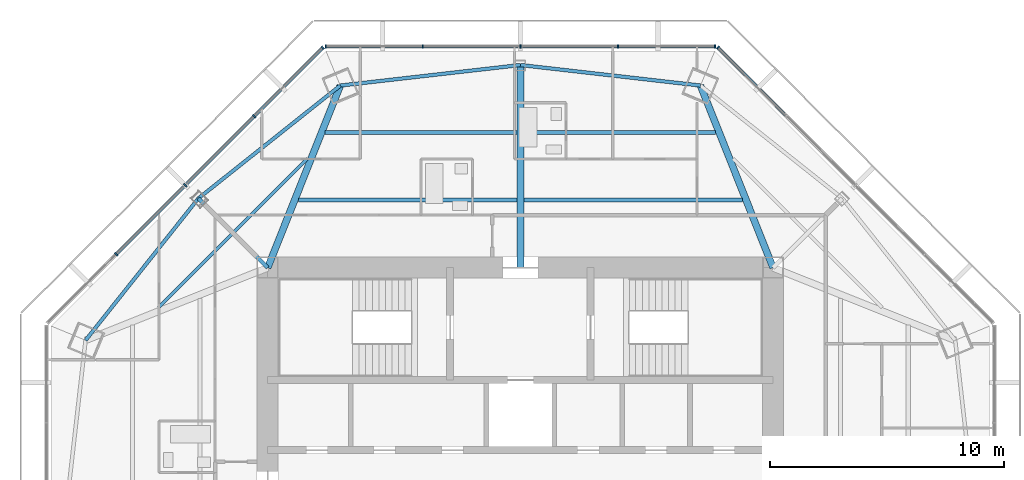
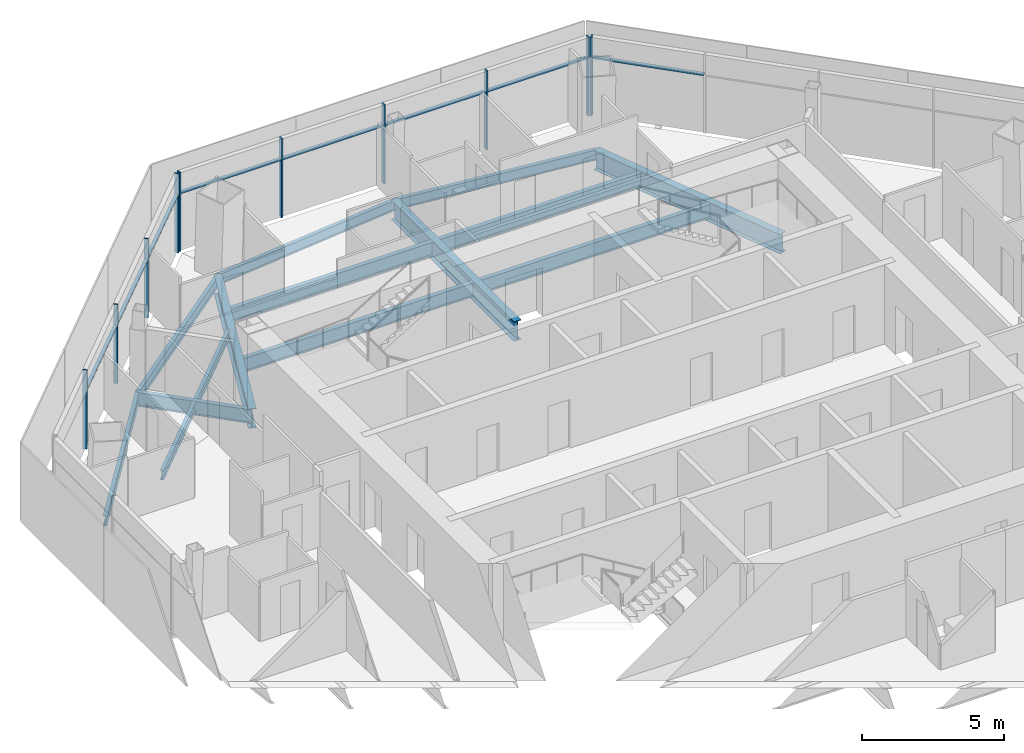
# One storey, part 6 of 15: 18 members, 14 beams, 3 elements without a shape of their own.
"""IFC4 building model written with IfcOpenShell, lengths in metres."""

from ifc_helpers import new_model, si_unit, direction, frame, origin, origin_2d, place, context, subcontext, project, spatial, rectangle, i_section, extrude, source, transform, mapped, material, material_profile, profile_set, type_object, type_shapes, element, aggregate, save


model = new_model("IFC4")

# Units and contexts
model_context = context("Model", 3, precision=1e-05, world=origin(), true_north=direction((0.0, 1.0)))
body_context = subcontext(model_context, "Body", "Model", "MODEL_VIEW")
ifc_project = project(units=[si_unit("LENGTHUNIT", "METRE"), si_unit("AREAUNIT", "SQUARE_METRE"), si_unit("VOLUMEUNIT", "CUBIC_METRE"), si_unit("PLANEANGLEUNIT", "RADIAN"), si_unit("MASSUNIT", "GRAM", prefix="KILO")], contexts=[model_context])

# Site, building, storey
site_placement = place(None, origin())
site = spatial("IfcSite", under=ifc_project, at=site_placement, CompositionType="ELEMENT")
building_placement = place(site_placement, origin())
building = spatial("IfcBuilding", under=site, at=building_placement, Name="Mashrafa Tower", CompositionType="ELEMENT")
storey_placement = place(building_placement, frame((0.0, 0.0, 274.199951171875)))
storey = spatial("IfcBuildingStorey", under=building, at=storey_placement, Name="L66", CompositionType="ELEMENT", Elevation=274.199951171875)

# Beams
ifc_material_1 = material(Name="Steel ASTM A992", Category="steel")
ifc_material_profile_1 = material_profile(ifc_material_1, i_section(OverallWidth=0.140380859375, OverallDepth=0.40380859375, WebThickness=0.007080078125, FlangeThickness=0.01123046875, FilletRadius=0.01025390625, at=origin_2d()), Name="W16X31")
ifc_profile_set_1 = profile_set([ifc_material_profile_1], Name="Steel ASTM A992")
beam_type_1 = type_object("IfcBeamType", Name="Beam W16X31", PredefinedType="BEAM", material=ifc_profile_set_1)
for number, where, z_axis, x_axis, name in (
    (1, (-15.463623046875, 9.09912109375, -0.40185546875), (0.707079108482, 0.707134452808, 0.0), (-0.707134452808, 0.707079108482, 0.0), "Floor beam L66 003"),
    (2, (-12.218505859375, 12.344482421875, -0.40185546875), (0.707134452808, 0.707079108482, 0.0), (-0.707079108482, 0.707134452808, 0.0), "Floor beam L66 007"),
):
    element("IfcBeam", number, at=place(storey_placement, frame(where, z_axis=z_axis, x_axis=x_axis)), inside=storey, type_object=beam_type_1, Name=name, PredefinedType="BEAM", context=body_context, shape_type="SweptSolid", body=[
        extrude(i_section(OverallWidth=0.140380859375, OverallDepth=0.40380859375, WebThickness=0.007080078125, FlangeThickness=0.01123046875, FilletRadius=0.01025390625, at=origin_2d()), origin(), (0.0, 0.0, 1.0), 4.411376953125),
    ])
ifc_material_2 = material(Name="Steel ASTM A992", Category="steel")
ifc_material_profile_2 = material_profile(ifc_material_2, i_section(OverallWidth=0.15234375, OverallDepth=0.449462890625, WebThickness=0.007568359375, FlangeThickness=0.0107421875, FilletRadius=0.01025390625, at=origin_2d()), Name="W18X35")
ifc_profile_set_2 = profile_set([ifc_material_profile_2], Name="Steel ASTM A992")
beam_type_2 = type_object("IfcBeamType", Name="Beam W18X35", PredefinedType="BEAM", material=ifc_profile_set_2)
for number, where, z_axis, x_axis, name in (
    (3, (-13.762939453125, 13.762939453125, -0.4248046875), (-0.622390664241, -0.782706752919, 0.0), (0.782706752919, -0.622390664241, 0.0), "Spandrel beam L66 045"),
    (4, (-7.6982421875, 18.58544921875, -0.4248046875), (-0.782706752919, -0.622390664241, 0.0), (0.622390664241, -0.782706752919, 0.0), "Spandrel beam L66 047"),
    (5, (0.0, 19.463623046875, -0.4248046875), (-0.993556314914, -0.113339530152, 0.0), (0.113339530152, -0.993556314914, 0.0), "Spandrel beam L66 049"),
    (6, (7.6982421875, 18.58544921875, -0.4248046875), (-0.993556314914, 0.113339530152, 0.0), (-0.113339530152, -0.993556314914, 0.0), "Spandrel beam L66 051"),
):
    element("IfcBeam", number, at=place(storey_placement, frame(where, z_axis=z_axis, x_axis=x_axis)), inside=storey, type_object=beam_type_2, Name=name, PredefinedType="BEAM", context=body_context, shape_type="SweptSolid", body=[
        extrude(i_section(OverallWidth=0.15234375, OverallDepth=0.449462890625, WebThickness=0.007568359375, FlangeThickness=0.0107421875, FilletRadius=0.01025390625, at=origin_2d()), origin(), (0.0, 0.0, 1.0), 7.748291015625),
    ])
ifc_material_3 = material(Name="Steel ASTM A992", Category="steel")
ifc_material_profile_3 = material_profile(ifc_material_3, i_section(OverallWidth=0.177978515625, OverallDepth=0.599365234375, WebThickness=0.010009765625, FlangeThickness=0.012939453125, FilletRadius=0.012939453125, at=origin_2d()), Name="W24X55")
ifc_profile_set_3 = profile_set([ifc_material_profile_3], Name="Steel ASTM A992")
beam_type_3 = type_object("IfcBeamType", Name="Beam W24X55", PredefinedType="BEAM", material=ifc_profile_set_3)
beam_1_placement = place(storey_placement, frame((-9.4921875, 13.68798828125, -0.499755859375), z_axis=(1.0, 0.0, 0.0), x_axis=(0.0, 1.0, 0.0)))
element("IfcBeam", 7, at=beam_1_placement, inside=storey, type_object=beam_type_3, Name="Floor beam L66 008", PredefinedType="BEAM", context=body_context, shape_type="SweptSolid", body=[
    extrude(i_section(OverallWidth=0.177978515625, OverallDepth=0.599365234375, WebThickness=0.010009765625, FlangeThickness=0.012939453125, FilletRadius=0.012939453125, at=origin_2d()), origin(), (0.0, 0.0, 1.0), 9.34619140625),
])
beam_2_placement = place(storey_placement, frame((-8.341796875, 16.57568359375, -0.499755859375), z_axis=(1.0, 0.0, 0.0), x_axis=(0.0, 1.0, 0.0)))
element("IfcBeam", 8, at=beam_2_placement, inside=storey, type_object=beam_type_3, Name="Floor beam L66 010", PredefinedType="BEAM", context=body_context, shape_type="SweptSolid", body=[
    extrude(i_section(OverallWidth=0.177978515625, OverallDepth=0.599365234375, WebThickness=0.010009765625, FlangeThickness=0.012939453125, FilletRadius=0.012939453125, at=origin_2d()), origin(), (0.0, 0.0, 1.0), 8.19580078125),
])
beam_3_placement = place(storey_placement, frame((0.14599609375, 13.68798828125, -0.499755859375), z_axis=(1.0, 0.0, 0.0), x_axis=(0.0, 1.0, 0.0)))
element("IfcBeam", 9, at=beam_3_placement, inside=storey, type_object=beam_type_3, Name="Floor beam L66 013", PredefinedType="BEAM", context=body_context, shape_type="SweptSolid", body=[
    extrude(i_section(OverallWidth=0.177978515625, OverallDepth=0.599365234375, WebThickness=0.010009765625, FlangeThickness=0.012939453125, FilletRadius=0.012939453125, at=origin_2d()), origin(), (0.0, 0.0, 1.0), 9.34619140625),
])
beam_4_placement = place(storey_placement, frame((0.14599609375, 16.57568359375, -0.499755859375), z_axis=(1.0, 0.0, 0.0), x_axis=(0.0, 1.0, 0.0)))
element("IfcBeam", 10, at=beam_4_placement, inside=storey, type_object=beam_type_3, Name="Floor beam L66 014", PredefinedType="BEAM", context=body_context, shape_type="SweptSolid", body=[
    extrude(i_section(OverallWidth=0.177978515625, OverallDepth=0.599365234375, WebThickness=0.010009765625, FlangeThickness=0.012939453125, FilletRadius=0.012939453125, at=origin_2d()), origin(), (0.0, 0.0, 1.0), 8.19580078125),
])
beam_5_placement = place(storey_placement, frame((-10.800048828125, 10.800048828125, -0.499755859375), z_axis=(-0.707106781187, 0.707106781187, 0.0), x_axis=(-0.707106781187, -0.707106781187, 0.0)))
element("IfcBeam", 11, at=beam_5_placement, inside=storey, type_object=beam_type_3, Name="Radial girder L66 030", PredefinedType="BEAM", context=body_context, shape_type="SweptSolid", body=[
    extrude(i_section(OverallWidth=0.177978515625, OverallDepth=0.599365234375, WebThickness=0.010009765625, FlangeThickness=0.012939453125, FilletRadius=0.012939453125, at=origin_2d()), origin(), (0.0, 0.0, 1.0), 4.190185546875),
])
ifc_material_4 = material(Name="Steel ASTM A992", Category="steel")
ifc_material_profile_4 = material_profile(ifc_material_4, i_section(OverallWidth=0.2919921875, OverallDepth=0.8408203125, WebThickness=0.0146484375, FlangeThickness=0.021728515625, FilletRadius=0.017333984375, at=origin_2d()), Name="W33X130")
ifc_profile_set_4 = profile_set([ifc_material_profile_4], Name="Steel ASTM A992")
beam_type_4 = type_object("IfcBeamType", Name="Beam W33X130", PredefinedType="BEAM", material=ifc_profile_set_4)
for number, where, z_axis, x_axis, name in (
    (12, (-10.800048828125, 10.800048828125, -0.620361328125), (0.370119579101, 0.928984121052, 0.0), (-0.928984121052, 0.370119579101, 0.0), "Radial girder L66 031"),
    (13, (10.800048828125, 10.800048828125, -0.620361328125), (-0.370119579101, 0.928984121052, 0.0), (-0.928984121052, -0.370119579101, 0.0), "Radial girder L66 038"),
):
    element("IfcBeam", number, at=place(storey_placement, frame(where, z_axis=z_axis, x_axis=x_axis)), inside=storey, type_object=beam_type_4, Name=name, PredefinedType="BEAM", context=body_context, shape_type="SweptSolid", body=[
        extrude(i_section(OverallWidth=0.2919921875, OverallDepth=0.8408203125, WebThickness=0.0146484375, FlangeThickness=0.021728515625, FilletRadius=0.017333984375, at=origin_2d()), origin(), (0.0, 0.0, 1.0), 8.380615234375),
    ])
ifc_material_5 = material(Name="Steel ASTM A992", Category="steel")
ifc_material_profile_5 = material_profile(ifc_material_5, i_section(OverallWidth=0.2919921875, OverallDepth=0.845703125, WebThickness=0.015380859375, FlangeThickness=0.0244140625, FilletRadius=0.017333984375, at=origin_2d()), Name="W33X141")
ifc_profile_set_5 = profile_set([ifc_material_profile_5], Name="Steel ASTM A992")
beam_type_5 = type_object("IfcBeamType", Name="Beam W33X141", PredefinedType="BEAM", material=ifc_profile_set_5)
beam_6_placement = place(storey_placement, frame((0.0, 10.800048828125, -0.622802734375), z_axis=(0.0, 1.0, 0.0), x_axis=(-1.0, 0.0, 0.0)))
element("IfcBeam", 14, at=beam_6_placement, inside=storey, type_object=beam_type_5, Name="Radial girder L66 033", PredefinedType="BEAM", context=body_context, shape_type="SweptSolid", body=[
    extrude(i_section(OverallWidth=0.2919921875, OverallDepth=0.845703125, WebThickness=0.015380859375, FlangeThickness=0.0244140625, FilletRadius=0.017333984375, at=origin_2d()), origin(), (0.0, 0.0, 1.0), 8.66357421875),
])

# Curtain wall, member
ifc_material_6 = material(Name="Unitised aluminium curtain wall", Category="aluminium")
curtain_wall_type = type_object("IfcCurtainWallType", Name="Apartment curtain wall, zone 4 CW-D 160 deep", PredefinedType="NOTDEFINED", material=ifc_material_6)
curtain_wall_1_placement = place(storey_placement, origin())
curtain_wall_1 = element("IfcCurtainWall", 15, at=curtain_wall_1_placement, inside=storey, type_object=curtain_wall_type, Name="Apartment curtain wall, zone 4 L66 north-east", PredefinedType="NOTDEFINED")
ifc_material_7 = material(Name="Extruded aluminium mullion", Category="aluminium")
ifc_material_profile_6 = material_profile(ifc_material_7, rectangle(XDim=0.159912109375, YDim=0.06005859375, at=origin_2d()), Name="Mullion 60x160")
ifc_profile_set_6 = profile_set([ifc_material_profile_6], Name="Extruded aluminium mullion")
member_type_1 = type_object("IfcMemberType", Name="Mullion CW-D 60 x 160", PredefinedType="MULLION", material=ifc_profile_set_6)
shared_shape_1 = source(origin(), body_context, "Body", "SweptSolid", [
    extrude(rectangle(XDim=0.159912109375, YDim=0.06005859375, at=origin_2d()), origin(), (0.0, 0.0, 1.0), 3.400146484375),
])
type_shapes(member_type_1, [shared_shape_1])
member_1_placement = place(storey_placement, frame((8.44287109375, 20.206298828125, 0.0), z_axis=(0.0, 0.0, 1.0), x_axis=(-0.707106781187, -0.707106781187, 0.0)))
member_1 = element("IfcMember", 16, at=member_1_placement, type_object=member_type_1, Name="CW-D mullion 5", PredefinedType="MULLION", context=body_context, shape_type="MappedRepresentation", body=[
    mapped(shared_shape_1, transform((0.0, 0.0, 0.0))),
])

# Curtain wall, members
curtain_wall_2_placement = place(storey_placement, origin())
curtain_wall_2 = element("IfcCurtainWall", 17, at=curtain_wall_2_placement, inside=storey, type_object=curtain_wall_type, Name="Apartment curtain wall, zone 4 L66 north", PredefinedType="NOTDEFINED")
member_2_placement = place(storey_placement, frame((8.318115234375, 20.258056640625, 0.0), z_axis=(0.0, 0.0, 1.0), x_axis=(0.0, -1.0, 0.0)))
member_2 = element("IfcMember", 18, at=member_2_placement, type_object=member_type_1, Name="CW-D mullion 1", PredefinedType="MULLION", context=body_context, shape_type="MappedRepresentation", body=[
    mapped(shared_shape_1, transform((0.0, 0.0, 0.0))),
])
member_3_placement = place(storey_placement, frame((4.174072265625, 20.258056640625, 0.0), z_axis=(0.0, 0.0, 1.0), x_axis=(0.0, -1.0, 0.0)))
member_3 = element("IfcMember", 19, at=member_3_placement, type_object=member_type_1, Name="CW-D mullion 2", PredefinedType="MULLION", context=body_context, shape_type="MappedRepresentation", body=[
    mapped(shared_shape_1, transform((0.0, 0.0, 0.0))),
])
member_4_placement = place(storey_placement, frame((0.0, 20.258056640625, 0.0), z_axis=(0.0, 0.0, 1.0), x_axis=(0.0, -1.0, 0.0)))
member_4 = element("IfcMember", 20, at=member_4_placement, type_object=member_type_1, Name="CW-D mullion 3", PredefinedType="MULLION", context=body_context, shape_type="MappedRepresentation", body=[
    mapped(shared_shape_1, transform((0.0, 0.0, 0.0))),
])
member_5_placement = place(storey_placement, frame((-4.174072265625, 20.258056640625, 0.0), z_axis=(0.0, 0.0, 1.0), x_axis=(0.0, -1.0, 0.0)))
member_5 = element("IfcMember", 21, at=member_5_placement, type_object=member_type_1, Name="CW-D mullion 4", PredefinedType="MULLION", context=body_context, shape_type="MappedRepresentation", body=[
    mapped(shared_shape_1, transform((0.0, 0.0, 0.0))),
])
member_6_placement = place(storey_placement, frame((-8.318115234375, 20.258056640625, 0.0), z_axis=(0.0, 0.0, 1.0), x_axis=(0.0, -1.0, 0.0)))
member_6 = element("IfcMember", 22, at=member_6_placement, type_object=member_type_1, Name="CW-D mullion 5", PredefinedType="MULLION", context=body_context, shape_type="MappedRepresentation", body=[
    mapped(shared_shape_1, transform((0.0, 0.0, 0.0))),
])

curtain_wall_3_placement = place(storey_placement, origin())
curtain_wall_3 = element("IfcCurtainWall", 23, at=curtain_wall_3_placement, inside=storey, type_object=curtain_wall_type, Name="Apartment curtain wall, zone 4 L66 north-west", PredefinedType="NOTDEFINED")
member_7_placement = place(storey_placement, frame((-8.44287109375, 20.206298828125, 0.0), z_axis=(0.0, 0.0, 1.0), x_axis=(0.707106781187, -0.707106781187, 0.0)))
member_7 = element("IfcMember", 24, at=member_7_placement, type_object=member_type_1, Name="CW-D mullion 1", PredefinedType="MULLION", context=body_context, shape_type="MappedRepresentation", body=[
    mapped(shared_shape_1, transform((0.0, 0.0, 0.0))),
])
member_8_placement = place(storey_placement, frame((-11.373046875, 17.276123046875, 0.0), z_axis=(0.0, 0.0, 1.0), x_axis=(0.707106781187, -0.707106781187, 0.0)))
member_8 = element("IfcMember", 25, at=member_8_placement, type_object=member_type_1, Name="CW-D mullion 2", PredefinedType="MULLION", context=body_context, shape_type="MappedRepresentation", body=[
    mapped(shared_shape_1, transform((0.0, 0.0, 0.0))),
])
member_9_placement = place(storey_placement, frame((-14.324462890625, 14.324462890625, 0.0), z_axis=(0.0, 0.0, 1.0), x_axis=(0.707106781187, -0.707106781187, 0.0)))
member_9 = element("IfcMember", 26, at=member_9_placement, type_object=member_type_1, Name="CW-D mullion 3", PredefinedType="MULLION", context=body_context, shape_type="MappedRepresentation", body=[
    mapped(shared_shape_1, transform((0.0, 0.0, 0.0))),
])
member_10_placement = place(storey_placement, frame((-17.276123046875, 11.373046875, 0.0), z_axis=(0.0, 0.0, 1.0), x_axis=(0.707106781187, -0.707106781187, 0.0)))
member_10 = element("IfcMember", 27, at=member_10_placement, type_object=member_type_1, Name="CW-D mullion 4", PredefinedType="MULLION", context=body_context, shape_type="MappedRepresentation", body=[
    mapped(shared_shape_1, transform((0.0, 0.0, 0.0))),
])

# Member
ifc_material_8 = material(Name="Extruded aluminium transom", Category="aluminium")
ifc_material_profile_7 = material_profile(ifc_material_8, rectangle(XDim=0.1279296875, YDim=0.074951171875, at=origin_2d()), Name="Transom 75x128")
ifc_profile_set_7 = profile_set([ifc_material_profile_7], Name="Extruded aluminium transom")
member_type_2 = type_object("IfcMemberType", Name="Transom CW-D 75 x 128", PredefinedType="MULLION", material=ifc_profile_set_7)
shared_shape_2 = source(origin(), body_context, "Body", "SweptSolid", [
    extrude(rectangle(XDim=0.1279296875, YDim=0.074951171875, at=origin_2d()), origin(), (0.0, 0.0, 1.0), 4.083984375),
])
member_11_placement = place(storey_placement, frame((11.351806640625, 17.297119140625, 2.5), z_axis=(-0.707076890595, 0.707136670515, 0.0), x_axis=(-0.707136670515, -0.707076890595, 0.0)))
member_11 = element("IfcMember", 28, at=member_11_placement, type_object=member_type_2, Name="CW-D transom 4", PredefinedType="MULLION", context=body_context, shape_type="MappedRepresentation", body=[
    mapped(shared_shape_2, transform((0.0, 0.0, 0.0))),
])

aggregate(curtain_wall_1, [member_1, member_11])

member_12_placement = place(storey_placement, frame((8.2880859375, 20.258056640625, 2.5), z_axis=(-1.0, 0.0, 0.0), x_axis=(0.0, -1.0, 0.0)))
member_12 = element("IfcMember", 29, at=member_12_placement, type_object=member_type_2, Name="CW-D transom 1", PredefinedType="MULLION", context=body_context, shape_type="MappedRepresentation", body=[
    mapped(shared_shape_2, transform((0.0, 0.0, 0.0))),
])

member_13_placement = place(storey_placement, frame((-4.2041015625, 20.258056640625, 2.5), z_axis=(-1.0, 0.0, 0.0), x_axis=(0.0, -1.0, 0.0)))
member_13 = element("IfcMember", 30, at=member_13_placement, type_object=member_type_2, Name="CW-D transom 4", PredefinedType="MULLION", context=body_context, shape_type="MappedRepresentation", body=[
    mapped(shared_shape_2, transform((0.0, 0.0, 0.0))),
])

member_14_placement = place(storey_placement, frame((-8.464111328125, 20.18505859375, 2.5), z_axis=(-0.707076890595, -0.707136670515, 0.0), x_axis=(0.707136670515, -0.707076890595, 0.0)))
member_14 = element("IfcMember", 31, at=member_14_placement, type_object=member_type_2, Name="CW-D transom 1", PredefinedType="MULLION", context=body_context, shape_type="MappedRepresentation", body=[
    mapped(shared_shape_2, transform((0.0, 0.0, 0.0))),
])

shared_shape_3 = source(origin(), body_context, "Body", "SweptSolid", [
    extrude(rectangle(XDim=0.1279296875, YDim=0.074951171875, at=origin_2d()), origin(), (0.0, 0.0, 1.0), 4.114013671875),
])
member_15_placement = place(storey_placement, frame((4.14404296875, 20.258056640625, 2.5), z_axis=(-1.0, 0.0, 0.0), x_axis=(0.0, -1.0, 0.0)))
member_15 = element("IfcMember", 32, at=member_15_placement, type_object=member_type_2, Name="CW-D transom 2", PredefinedType="MULLION", context=body_context, shape_type="MappedRepresentation", body=[
    mapped(shared_shape_3, transform((0.0, 0.0, 0.0))),
])

member_16_placement = place(storey_placement, frame((-0.030029296875, 20.258056640625, 2.5), z_axis=(-1.0, 0.0, 0.0), x_axis=(0.0, -1.0, 0.0)))
member_16 = element("IfcMember", 33, at=member_16_placement, type_object=member_type_2, Name="CW-D transom 3", PredefinedType="MULLION", context=body_context, shape_type="MappedRepresentation", body=[
    mapped(shared_shape_3, transform((0.0, 0.0, 0.0))),
])

aggregate(curtain_wall_2, [member_2, member_3, member_4, member_5, member_6, member_12, member_15, member_16, member_13])

shared_shape_4 = source(origin(), body_context, "Body", "SweptSolid", [
    extrude(rectangle(XDim=0.1279296875, YDim=0.074951171875, at=origin_2d()), origin(), (0.0, 0.0, 1.0), 4.1142578125),
])
type_shapes(member_type_2, [shared_shape_2, shared_shape_3, shared_shape_4])
member_17_placement = place(storey_placement, frame((-11.394287109375, 17.2548828125, 2.5), z_axis=(-0.707106781187, -0.707106781187, 0.0), x_axis=(0.707106781187, -0.707106781187, 0.0)))
member_17 = element("IfcMember", 34, at=member_17_placement, type_object=member_type_2, Name="CW-D transom 2", PredefinedType="MULLION", context=body_context, shape_type="MappedRepresentation", body=[
    mapped(shared_shape_4, transform((0.0, 0.0, 0.0))),
])

member_18_placement = place(storey_placement, frame((-14.345703125, 14.303466796875, 2.5), z_axis=(-0.707106781187, -0.707106781187, 0.0), x_axis=(0.707106781187, -0.707106781187, 0.0)))
member_18 = element("IfcMember", 35, at=member_18_placement, type_object=member_type_2, Name="CW-D transom 3", PredefinedType="MULLION", context=body_context, shape_type="MappedRepresentation", body=[
    mapped(shared_shape_4, transform((0.0, 0.0, 0.0))),
])

aggregate(curtain_wall_3, [member_7, member_8, member_9, member_10, member_14, member_17, member_18])

save(model, "model.ifc")
